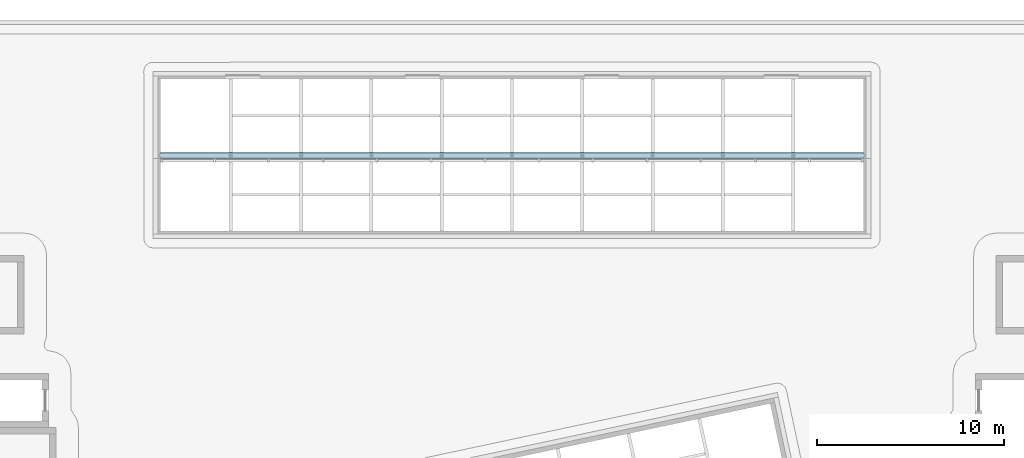
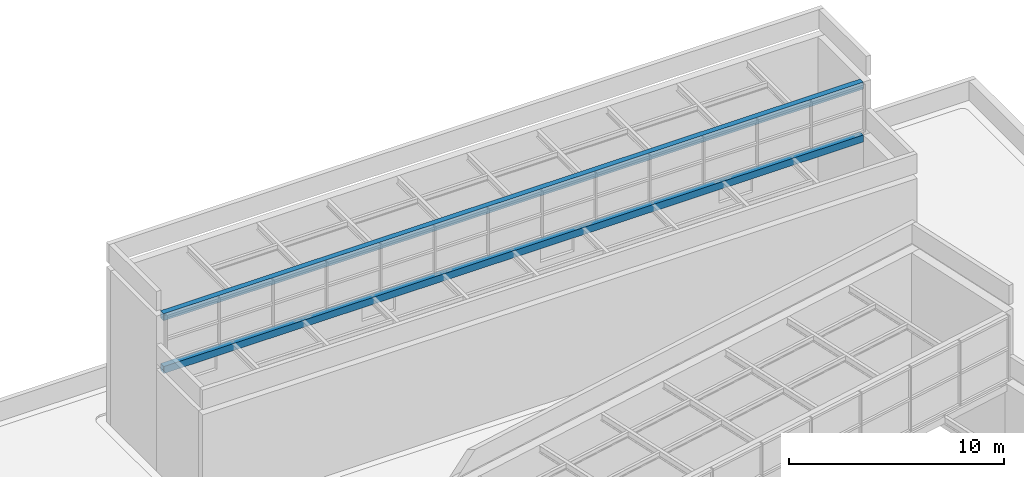
# One storey, part 52 of 72: 2 members.
"""IFC4 building model written with IfcOpenShell, lengths in metres."""

from ifc_helpers import new_model, si_unit, direction, frame, origin, origin_2d, place, context, subcontext, project, spatial, hollow_rectangle, extrude, material, material_profile, profile_set, type_object, element, save


model = new_model("IFC4")

# Units and contexts
model_context = context("Model", 3, precision=1e-05, world=origin(), true_north=direction((0.0, 1.0)))
body_context = subcontext(model_context, "Body", "Model", "MODEL_VIEW")
ifc_project = project(units=[si_unit("LENGTHUNIT", "METRE"), si_unit("AREAUNIT", "SQUARE_METRE"), si_unit("VOLUMEUNIT", "CUBIC_METRE"), si_unit("PLANEANGLEUNIT", "RADIAN"), si_unit("MASSUNIT", "GRAM", prefix="KILO")], contexts=[model_context])

# Site, building, storey
site_placement = place(None, origin())
site = spatial("IfcSite", under=ifc_project, at=site_placement, CompositionType="ELEMENT")
building_placement = place(site_placement, origin())
building = spatial("IfcBuilding", under=site, at=building_placement, Name="Nzadi Deep Aquarium and Research Tower", CompositionType="ELEMENT")
storey_placement = place(building_placement, frame((0.0, 0.0, 31.89990234375)))
storey = spatial("IfcBuildingStorey", under=building, at=storey_placement, Name="L05", CompositionType="ELEMENT", Elevation=31.89990234375)

# Members
ifc_material = material(Name="Steel S355", Category="steel")
ifc_material_profile = material_profile(ifc_material, hollow_rectangle(XDim=0.300048828125, YDim=0.39990234375, WallThickness=0.011962890625, at=origin_2d()))
ifc_profile_set = profile_set([ifc_material_profile], Name="Steel S355")
member_type = type_object("IfcMemberType", Name="RHS 400x300x12 chord", PredefinedType="CHORD", material=ifc_profile_set)
for number, where, z_axis, x_axis, name in (
    (1, (10.0, 136.050048828125, 8.60009765625), (1.0, 0.0, 0.0), (0.0, 1.0, 0.0), "MB-HL-STEP-TOP"),
    (2, (10.0, 136.050048828125, 5.60009765625), (1.0, 0.0, 0.0), (0.0, 1.0, 0.0), "MB-HL-STEP-BOT"),
):
    element("IfcMember", number, at=place(storey_placement, frame(where, z_axis=z_axis, x_axis=x_axis)), inside=storey, type_object=member_type, Name=name, PredefinedType="CHORD", context=body_context, shape_type="SweptSolid", body=[
        extrude(hollow_rectangle(XDim=0.300048828125, YDim=0.39990234375, WallThickness=0.011962890625, at=origin_2d()), origin(), (0.0, 0.0, 1.0), 37.60009765625),
    ])

save(model, "model.ifc")
